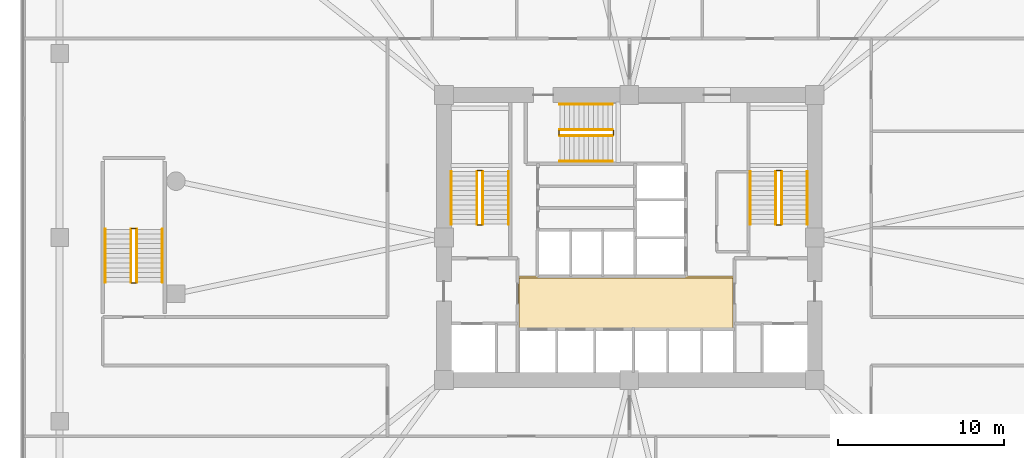
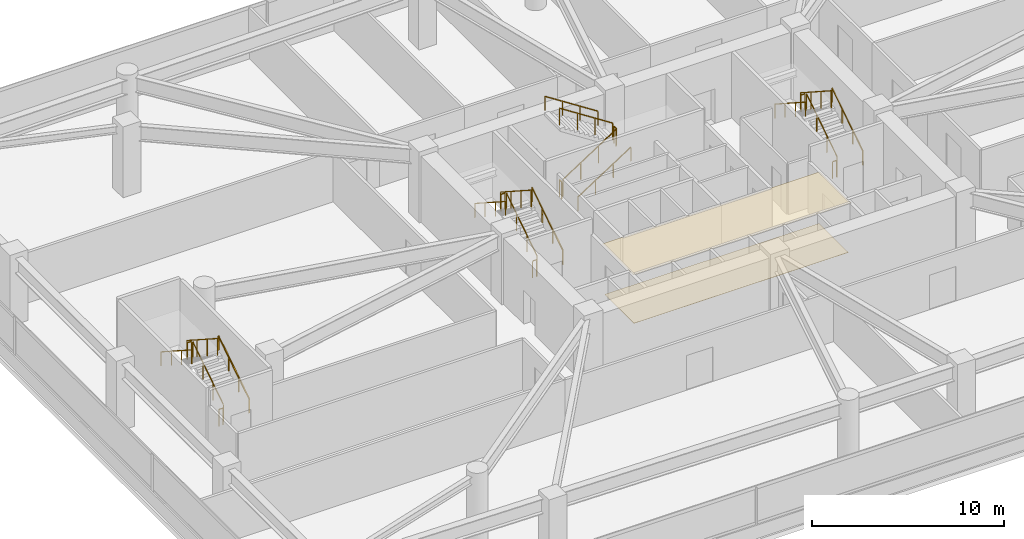
# One storey, part 20 of 21: 24 railings, 2 coverings.
"""IFC4 building model written with IfcOpenShell, lengths in metres."""

from ifc_helpers import new_model, si_unit, derived_unit, direction, frame, origin, origin_2d, place, context, subcontext, project, spatial, polyline, rectangle, outline, extrude, material, layer, layer_set, type_object, element, save


model = new_model("IFC4")

# Units and contexts
model_context = context("Model", 3, precision=1e-05, world=origin(), true_north=direction((0.0, 1.0)))
body_context = subcontext(model_context, "Body", "Model", "MODEL_VIEW")
ifc_project = project(units=[si_unit("LENGTHUNIT", "METRE"), si_unit("AREAUNIT", "SQUARE_METRE"), si_unit("VOLUMEUNIT", "CUBIC_METRE"), si_unit("PLANEANGLEUNIT", "RADIAN"), si_unit("MASSUNIT", "GRAM", prefix="KILO"), derived_unit("THERMALTRANSMITTANCEUNIT", [(si_unit("POWERUNIT", "WATT"), 1), (si_unit("LENGTHUNIT", "METRE"), -2), (si_unit("THERMODYNAMICTEMPERATUREUNIT", "KELVIN"), -1)])], contexts=[model_context])

# Site, building, storey
site_placement = place(None, origin())
site = spatial("IfcSite", under=ifc_project, at=site_placement, CompositionType="ELEMENT")
building_placement = place(site_placement, origin())
building = spatial("IfcBuilding", under=site, at=building_placement, Name="Koralith Skygarden Medical Center", CompositionType="ELEMENT")
storey_placement = place(building_placement, frame((0.0, 0.0, 14.39990234375)))
storey = spatial("IfcBuildingStorey", under=building, at=storey_placement, Name="L03", CompositionType="ELEMENT", Elevation=14.39990234375)

# Coverings
ifc_material_1 = material(Name="Acoustic Mineral Tile")
ifc_layer_1 = layer(ifc_material_1, 0.02001953125)
ifc_layer_set_1 = layer_set([ifc_layer_1], Name="Acoustic Mineral Tile")
covering_type_1 = type_object("IfcCoveringType", Name="Acoustic Hygienic Mineral Ceiling 20", PredefinedType="CEILING", material=ifc_layer_set_1)
covering_1_placement = place(storey_placement, frame((0.0, 0.0, 3.18505859375)))
element("IfcCovering", 1, at=covering_1_placement, inside=storey, type_object=covering_type_1, Name="L03 Core Lobby Acoustic Ceiling", PredefinedType="CEILING", context=body_context, shape_type="SweptSolid", body=[
    extrude(outline(polyline([(30.25, 20.320068359375), (43.35009765625, 20.320068359375), (43.35009765625, 23.56005859375), (30.25, 23.56005859375), (30.25, 20.320068359375)])), origin(), (0.0, 0.0, 1.0), 0.02001953125),
])
ifc_material_2 = material(Name="Medical Terrazzo Flooring")
ifc_layer_2 = layer(ifc_material_2, 0.014892578125)
ifc_layer_set_2 = layer_set([ifc_layer_2], Name="Medical Terrazzo Flooring")
covering_type_2 = type_object("IfcCoveringType", Name="Seamless Antimicrobial Terrazzo Flooring 15", PredefinedType="FLOORING", material=ifc_layer_set_2)
covering_2_placement = place(storey_placement, origin())
element("IfcCovering", 2, at=covering_2_placement, inside=storey, type_object=covering_type_2, Name="L03 Core Lobby Terrazzo Flooring", PredefinedType="FLOORING", context=body_context, shape_type="SweptSolid", body=[
    extrude(outline(polyline([(30.35009765625, 20.419921875), (43.25, 20.419921875), (43.25, 23.4599609375), (30.35009765625, 23.4599609375), (30.35009765625, 20.419921875)])), origin(), (0.0, 0.0, 1.0), 0.01513671875),
])

# Railings
ifc_material_3 = material(Name="Steel ASTM A500 Grade C", Category="steel")
railing_type_1 = type_object("IfcRailingType", Name="Stair Flight Tubular Handrail 920", PredefinedType="HANDRAIL", material=ifc_material_3)
railing_1_placement = place(storey_placement, frame((29.699951171875, 26.699951171875, 0.1875)))
element("IfcRailing", 3, at=railing_1_placement, inside=storey, type_object=railing_type_1, Name="L03 ST1 stair handrail 1", PredefinedType="HANDRAIL", context=body_context, shape_type="SweptSolid", body=[
    extrude(rectangle(XDim=0.050048828125, YDim=0.050048828125, at=origin_2d()), frame((0.0, 0.001708984375, 0.89599609375), z_axis=(0.0, 0.839759782654, 0.542958108362), x_axis=(-1.0, 0.0, 0.0)), (0.0, 0.0, 1.0), 3.794677734375),
    extrude(rectangle(XDim=0.0419921875, YDim=0.0419921875, at=origin_2d()), origin(), (0.0, 0.0, 1.0), 0.867919921875),
    extrude(rectangle(XDim=0.0419921875, YDim=0.0419921875, at=origin_2d()), frame((0.0, 1.063232421875, 0.6875)), (0.0, 0.0, 1.0), 0.867919921875),
    extrude(rectangle(XDim=0.0419921875, YDim=0.0419921875, at=origin_2d()), frame((0.0, 2.126708984375, 1.375)), (0.0, 0.0, 1.0), 0.867919921875),
    extrude(rectangle(XDim=0.0419921875, YDim=0.0419921875, at=origin_2d()), frame((0.0, 3.18994140625, 2.0625)), (0.0, 0.0, 1.0), 0.867919921875),
])
railing_2_placement = place(storey_placement, frame((26.25, 29.889892578125, 2.4375)))
element("IfcRailing", 4, at=railing_2_placement, inside=storey, type_object=railing_type_1, Name="L03 ST1 stair handrail 2", PredefinedType="HANDRAIL", context=body_context, shape_type="SweptSolid", body=[
    extrude(rectangle(XDim=0.050048828125, YDim=0.050048828125, at=origin_2d()), frame((0.0, -0.001708984375, 0.89599609375), z_axis=(0.0, -0.839759782654, 0.542958108362), x_axis=(1.0, 0.0, 0.0)), (0.0, 0.0, 1.0), 3.794677734375),
    extrude(rectangle(XDim=0.0419921875, YDim=0.0419921875, at=origin_2d()), origin(), (0.0, 0.0, 1.0), 0.867919921875),
    extrude(rectangle(XDim=0.0419921875, YDim=0.0419921875, at=origin_2d()), frame((0.0, -1.063232421875, 0.6875)), (0.0, 0.0, 1.0), 0.867919921875),
    extrude(rectangle(XDim=0.0419921875, YDim=0.0419921875, at=origin_2d()), frame((0.0, -2.126708984375, 1.375)), (0.0, 0.0, 1.0), 0.867919921875),
    extrude(rectangle(XDim=0.0419921875, YDim=0.0419921875, at=origin_2d()), frame((0.0, -3.18994140625, 2.0625)), (0.0, 0.0, 1.0), 0.867919921875),
])
railing_3_placement = place(storey_placement, frame((47.75, 26.699951171875, 0.1875)))
element("IfcRailing", 5, at=railing_3_placement, inside=storey, type_object=railing_type_1, Name="L03 ST2 stair handrail 1", PredefinedType="HANDRAIL", context=body_context, shape_type="SweptSolid", body=[
    extrude(rectangle(XDim=0.050048828125, YDim=0.050048828125, at=origin_2d()), frame((0.0, 0.001708984375, 0.89599609375), z_axis=(0.0, 0.839759782654, 0.542958108362), x_axis=(-1.0, 0.0, 0.0)), (0.0, 0.0, 1.0), 3.794677734375),
    extrude(rectangle(XDim=0.0419921875, YDim=0.0419921875, at=origin_2d()), origin(), (0.0, 0.0, 1.0), 0.867919921875),
    extrude(rectangle(XDim=0.0419921875, YDim=0.0419921875, at=origin_2d()), frame((0.0, 1.063232421875, 0.6875)), (0.0, 0.0, 1.0), 0.867919921875),
    extrude(rectangle(XDim=0.0419921875, YDim=0.0419921875, at=origin_2d()), frame((0.0, 2.126708984375, 1.375)), (0.0, 0.0, 1.0), 0.867919921875),
    extrude(rectangle(XDim=0.0419921875, YDim=0.0419921875, at=origin_2d()), frame((0.0, 3.18994140625, 2.0625)), (0.0, 0.0, 1.0), 0.867919921875),
])
railing_4_placement = place(storey_placement, frame((44.300048828125, 29.889892578125, 2.4375)))
element("IfcRailing", 6, at=railing_4_placement, inside=storey, type_object=railing_type_1, Name="L03 ST2 stair handrail 2", PredefinedType="HANDRAIL", context=body_context, shape_type="SweptSolid", body=[
    extrude(rectangle(XDim=0.050048828125, YDim=0.050048828125, at=origin_2d()), frame((0.0, -0.001708984375, 0.89599609375), z_axis=(0.0, -0.839759782654, 0.542958108362), x_axis=(1.0, 0.0, 0.0)), (0.0, 0.0, 1.0), 3.794677734375),
    extrude(rectangle(XDim=0.0419921875, YDim=0.0419921875, at=origin_2d()), origin(), (0.0, 0.0, 1.0), 0.867919921875),
    extrude(rectangle(XDim=0.0419921875, YDim=0.0419921875, at=origin_2d()), frame((0.0, -1.063232421875, 0.6875)), (0.0, 0.0, 1.0), 0.867919921875),
    extrude(rectangle(XDim=0.0419921875, YDim=0.0419921875, at=origin_2d()), frame((0.0, -2.126708984375, 1.375)), (0.0, 0.0, 1.0), 0.867919921875),
    extrude(rectangle(XDim=0.0419921875, YDim=0.0419921875, at=origin_2d()), frame((0.0, -3.18994140625, 2.0625)), (0.0, 0.0, 1.0), 0.867919921875),
])
railing_5_placement = place(storey_placement, frame((32.800048828125, 30.5, 0.1875)))
element("IfcRailing", 7, at=railing_5_placement, inside=storey, type_object=railing_type_1, Name="L03 ST3 stair handrail 1", PredefinedType="HANDRAIL", context=body_context, shape_type="SweptSolid", body=[
    extrude(rectangle(XDim=0.050048828125, YDim=0.050048828125, at=origin_2d()), frame((0.001708984375, 0.0, 0.89599609375), z_axis=(0.839759782654, 0.0, 0.542958108362), x_axis=(0.0, 1.0, 0.0)), (0.0, 0.0, 1.0), 3.794677734375),
    extrude(rectangle(XDim=0.0419921875, YDim=0.0419921875, at=origin_2d()), origin(), (0.0, 0.0, 1.0), 0.867919921875),
    extrude(rectangle(XDim=0.0419921875, YDim=0.0419921875, at=origin_2d()), frame((1.063232421875, 0.0, 0.6875)), (0.0, 0.0, 1.0), 0.867919921875),
    extrude(rectangle(XDim=0.0419921875, YDim=0.0419921875, at=origin_2d()), frame((2.126708984375, 0.0, 1.375)), (0.0, 0.0, 1.0), 0.867919921875),
    extrude(rectangle(XDim=0.0419921875, YDim=0.0419921875, at=origin_2d()), frame((3.18994140625, 0.0, 2.0625)), (0.0, 0.0, 1.0), 0.867919921875),
])
railing_6_placement = place(storey_placement, frame((35.989990234375, 33.949951171875, 2.4375)))
element("IfcRailing", 8, at=railing_6_placement, inside=storey, type_object=railing_type_1, Name="L03 ST3 stair handrail 2", PredefinedType="HANDRAIL", context=body_context, shape_type="SweptSolid", body=[
    extrude(rectangle(XDim=0.050048828125, YDim=0.050048828125, at=origin_2d()), frame((-0.001708984375, 0.0, 0.89599609375), z_axis=(-0.839759782654, 0.0, 0.542958108362), x_axis=(0.0, -1.0, 0.0)), (0.0, 0.0, 1.0), 3.794677734375),
    extrude(rectangle(XDim=0.0419921875, YDim=0.0419921875, at=origin_2d()), origin(), (0.0, 0.0, 1.0), 0.867919921875),
    extrude(rectangle(XDim=0.0419921875, YDim=0.0419921875, at=origin_2d()), frame((-1.063232421875, 0.0, 0.6875)), (0.0, 0.0, 1.0), 0.867919921875),
    extrude(rectangle(XDim=0.0419921875, YDim=0.0419921875, at=origin_2d()), frame((-2.126708984375, 0.0, 1.375)), (0.0, 0.0, 1.0), 0.867919921875),
    extrude(rectangle(XDim=0.0419921875, YDim=0.0419921875, at=origin_2d()), frame((-3.18994140625, 0.0, 2.0625)), (0.0, 0.0, 1.0), 0.867919921875),
])
railing_7_placement = place(storey_placement, frame((8.800048828125, 23.199951171875, 0.1875)))
element("IfcRailing", 9, at=railing_7_placement, inside=storey, type_object=railing_type_1, Name="L03 ST4 stair handrail 1", PredefinedType="HANDRAIL", context=body_context, shape_type="SweptSolid", body=[
    extrude(rectangle(XDim=0.050048828125, YDim=0.050048828125, at=origin_2d()), frame((0.0, 0.001708984375, 0.89599609375), z_axis=(0.0, 0.839759782654, 0.542958108362), x_axis=(-1.0, 0.0, 0.0)), (0.0, 0.0, 1.0), 3.794677734375),
    extrude(rectangle(XDim=0.0419921875, YDim=0.0419921875, at=origin_2d()), origin(), (0.0, 0.0, 1.0), 0.867919921875),
    extrude(rectangle(XDim=0.0419921875, YDim=0.0419921875, at=origin_2d()), frame((0.0, 1.063232421875, 0.6875)), (0.0, 0.0, 1.0), 0.867919921875),
    extrude(rectangle(XDim=0.0419921875, YDim=0.0419921875, at=origin_2d()), frame((0.0, 2.126708984375, 1.375)), (0.0, 0.0, 1.0), 0.867919921875),
    extrude(rectangle(XDim=0.0419921875, YDim=0.0419921875, at=origin_2d()), frame((0.0, 3.18994140625, 2.0625)), (0.0, 0.0, 1.0), 0.867919921875),
])
railing_8_placement = place(storey_placement, frame((5.35009765625, 26.389892578125, 2.4375)))
element("IfcRailing", 10, at=railing_8_placement, inside=storey, type_object=railing_type_1, Name="L03 ST4 stair handrail 2", PredefinedType="HANDRAIL", context=body_context, shape_type="SweptSolid", body=[
    extrude(rectangle(XDim=0.050048828125, YDim=0.050048828125, at=origin_2d()), frame((0.0, -0.001708984375, 0.89599609375), z_axis=(0.0, -0.839759782654, 0.542958108362), x_axis=(1.0, 0.0, 0.0)), (0.0, 0.0, 1.0), 3.794677734375),
    extrude(rectangle(XDim=0.0419921875, YDim=0.0419921875, at=origin_2d()), origin(), (0.0, 0.0, 1.0), 0.867919921875),
    extrude(rectangle(XDim=0.0419921875, YDim=0.0419921875, at=origin_2d()), frame((0.0, -1.063232421875, 0.6875)), (0.0, 0.0, 1.0), 0.867919921875),
    extrude(rectangle(XDim=0.0419921875, YDim=0.0419921875, at=origin_2d()), frame((0.0, -2.126708984375, 1.375)), (0.0, 0.0, 1.0), 0.867919921875),
    extrude(rectangle(XDim=0.0419921875, YDim=0.0419921875, at=origin_2d()), frame((0.0, -3.18994140625, 2.0625)), (0.0, 0.0, 1.0), 0.867919921875),
])
railing_type_2 = type_object("IfcRailingType", Name="Stair Well Safety Guardrail 1100", PredefinedType="GUARDRAIL", material=ifc_material_3)
railing_9_placement = place(storey_placement, frame((28.14990234375, 26.699951171875, 0.1875)))
element("IfcRailing", 11, at=railing_9_placement, inside=storey, type_object=railing_type_2, Name="L03 ST1 stair guard 1", PredefinedType="GUARDRAIL", context=body_context, shape_type="SweptSolid", body=[
    extrude(rectangle(XDim=0.050048828125, YDim=0.050048828125, at=origin_2d()), frame((0.0, 0.001708984375, 1.076171875), z_axis=(0.0, 0.839759782654, 0.542958108362), x_axis=(-1.0, 0.0, 0.0)), (0.0, 0.0, 1.0), 3.794677734375),
    extrude(rectangle(XDim=0.0419921875, YDim=0.0419921875, at=origin_2d()), origin(), (0.0, 0.0, 1.0), 1.048095703125),
    extrude(rectangle(XDim=0.0419921875, YDim=0.0419921875, at=origin_2d()), frame((0.0, 1.063232421875, 0.6875)), (0.0, 0.0, 1.0), 1.048095703125),
    extrude(rectangle(XDim=0.0419921875, YDim=0.0419921875, at=origin_2d()), frame((0.0, 2.126708984375, 1.375)), (0.0, 0.0, 1.0), 1.048095703125),
    extrude(rectangle(XDim=0.0419921875, YDim=0.0419921875, at=origin_2d()), frame((0.0, 3.18994140625, 2.0625)), (0.0, 0.0, 1.0), 1.048095703125),
])
railing_10_placement = place(storey_placement, frame((28.10009765625, 29.93994140625, 2.25)))
element("IfcRailing", 12, at=railing_10_placement, inside=storey, type_object=railing_type_2, Name="L03 ST1 stair guard 2", PredefinedType="GUARDRAIL", context=body_context, shape_type="SweptSolid", body=[
    extrude(rectangle(XDim=0.050048828125, YDim=0.050048828125, at=origin_2d()), frame((-0.001953125, 0.0, 1.0751953125), z_axis=(-1.0, 0.0, 0.0), x_axis=(0.0, -1.0, 0.0)), (0.0, 0.0, 1.0), 0.24609375),
    extrude(rectangle(XDim=0.0419921875, YDim=0.0419921875, at=origin_2d()), origin(), (0.0, 0.0, 1.0), 1.048095703125),
    extrude(rectangle(XDim=0.0419921875, YDim=0.0419921875, at=origin_2d()), frame((-0.25, 0.0, 0.0)), (0.0, 0.0, 1.0), 1.048095703125),
])
railing_11_placement = place(storey_placement, frame((27.800048828125, 29.889892578125, 2.4375)))
element("IfcRailing", 13, at=railing_11_placement, inside=storey, type_object=railing_type_2, Name="L03 ST1 stair guard 3", PredefinedType="GUARDRAIL", context=body_context, shape_type="SweptSolid", body=[
    extrude(rectangle(XDim=0.050048828125, YDim=0.050048828125, at=origin_2d()), frame((0.0, -0.001708984375, 1.076171875), z_axis=(0.0, -0.839759782654, 0.542958108362), x_axis=(1.0, 0.0, 0.0)), (0.0, 0.0, 1.0), 3.794677734375),
    extrude(rectangle(XDim=0.0419921875, YDim=0.0419921875, at=origin_2d()), origin(), (0.0, 0.0, 1.0), 1.048095703125),
    extrude(rectangle(XDim=0.0419921875, YDim=0.0419921875, at=origin_2d()), frame((0.0, -1.063232421875, 0.6875)), (0.0, 0.0, 1.0), 1.048095703125),
    extrude(rectangle(XDim=0.0419921875, YDim=0.0419921875, at=origin_2d()), frame((0.0, -2.126708984375, 1.375)), (0.0, 0.0, 1.0), 1.048095703125),
    extrude(rectangle(XDim=0.0419921875, YDim=0.0419921875, at=origin_2d()), frame((0.0, -3.18994140625, 2.0625)), (0.0, 0.0, 1.0), 1.048095703125),
])
railing_12_placement = place(storey_placement, frame((28.10009765625, 26.64990234375, 0.0)))
element("IfcRailing", 14, at=railing_12_placement, inside=storey, type_object=railing_type_2, Name="L03 ST1 stair guard 4", PredefinedType="GUARDRAIL", context=body_context, shape_type="SweptSolid", body=[
    extrude(rectangle(XDim=0.050048828125, YDim=0.050048828125, at=origin_2d()), frame((-0.001953125, 0.0, 1.0751953125), z_axis=(-1.0, 0.0, 0.0), x_axis=(0.0, -1.0, 0.0)), (0.0, 0.0, 1.0), 0.24609375),
    extrude(rectangle(XDim=0.0419921875, YDim=0.0419921875, at=origin_2d()), origin(), (0.0, 0.0, 1.0), 1.048095703125),
    extrude(rectangle(XDim=0.0419921875, YDim=0.0419921875, at=origin_2d()), frame((-0.25, 0.0, 0.0)), (0.0, 0.0, 1.0), 1.048095703125),
])
railing_13_placement = place(storey_placement, frame((46.199951171875, 26.699951171875, 0.1875)))
element("IfcRailing", 15, at=railing_13_placement, inside=storey, type_object=railing_type_2, Name="L03 ST2 stair guard 1", PredefinedType="GUARDRAIL", context=body_context, shape_type="SweptSolid", body=[
    extrude(rectangle(XDim=0.050048828125, YDim=0.050048828125, at=origin_2d()), frame((0.0, 0.001708984375, 1.076171875), z_axis=(0.0, 0.839759782654, 0.542958108362), x_axis=(-1.0, 0.0, 0.0)), (0.0, 0.0, 1.0), 3.794677734375),
    extrude(rectangle(XDim=0.0419921875, YDim=0.0419921875, at=origin_2d()), origin(), (0.0, 0.0, 1.0), 1.048095703125),
    extrude(rectangle(XDim=0.0419921875, YDim=0.0419921875, at=origin_2d()), frame((0.0, 1.063232421875, 0.6875)), (0.0, 0.0, 1.0), 1.048095703125),
    extrude(rectangle(XDim=0.0419921875, YDim=0.0419921875, at=origin_2d()), frame((0.0, 2.126708984375, 1.375)), (0.0, 0.0, 1.0), 1.048095703125),
    extrude(rectangle(XDim=0.0419921875, YDim=0.0419921875, at=origin_2d()), frame((0.0, 3.18994140625, 2.0625)), (0.0, 0.0, 1.0), 1.048095703125),
])
railing_14_placement = place(storey_placement, frame((46.14990234375, 29.93994140625, 2.25)))
element("IfcRailing", 16, at=railing_14_placement, inside=storey, type_object=railing_type_2, Name="L03 ST2 stair guard 2", PredefinedType="GUARDRAIL", context=body_context, shape_type="SweptSolid", body=[
    extrude(rectangle(XDim=0.050048828125, YDim=0.050048828125, at=origin_2d()), frame((-0.001953125, 0.0, 1.0751953125), z_axis=(-1.0, 0.0, 0.0), x_axis=(0.0, -1.0, 0.0)), (0.0, 0.0, 1.0), 0.24609375),
    extrude(rectangle(XDim=0.0419921875, YDim=0.0419921875, at=origin_2d()), origin(), (0.0, 0.0, 1.0), 1.048095703125),
    extrude(rectangle(XDim=0.0419921875, YDim=0.0419921875, at=origin_2d()), frame((-0.25, 0.0, 0.0)), (0.0, 0.0, 1.0), 1.048095703125),
])
railing_15_placement = place(storey_placement, frame((45.85009765625, 29.889892578125, 2.4375)))
element("IfcRailing", 17, at=railing_15_placement, inside=storey, type_object=railing_type_2, Name="L03 ST2 stair guard 3", PredefinedType="GUARDRAIL", context=body_context, shape_type="SweptSolid", body=[
    extrude(rectangle(XDim=0.050048828125, YDim=0.050048828125, at=origin_2d()), frame((0.0, -0.001708984375, 1.076171875), z_axis=(0.0, -0.839759782654, 0.542958108362), x_axis=(1.0, 0.0, 0.0)), (0.0, 0.0, 1.0), 3.794677734375),
    extrude(rectangle(XDim=0.0419921875, YDim=0.0419921875, at=origin_2d()), origin(), (0.0, 0.0, 1.0), 1.048095703125),
    extrude(rectangle(XDim=0.0419921875, YDim=0.0419921875, at=origin_2d()), frame((0.0, -1.063232421875, 0.6875)), (0.0, 0.0, 1.0), 1.048095703125),
    extrude(rectangle(XDim=0.0419921875, YDim=0.0419921875, at=origin_2d()), frame((0.0, -2.126708984375, 1.375)), (0.0, 0.0, 1.0), 1.048095703125),
    extrude(rectangle(XDim=0.0419921875, YDim=0.0419921875, at=origin_2d()), frame((0.0, -3.18994140625, 2.0625)), (0.0, 0.0, 1.0), 1.048095703125),
])
railing_16_placement = place(storey_placement, frame((46.14990234375, 26.64990234375, 0.0)))
element("IfcRailing", 18, at=railing_16_placement, inside=storey, type_object=railing_type_2, Name="L03 ST2 stair guard 4", PredefinedType="GUARDRAIL", context=body_context, shape_type="SweptSolid", body=[
    extrude(rectangle(XDim=0.050048828125, YDim=0.050048828125, at=origin_2d()), frame((-0.001953125, 0.0, 1.0751953125), z_axis=(-1.0, 0.0, 0.0), x_axis=(0.0, -1.0, 0.0)), (0.0, 0.0, 1.0), 0.24609375),
    extrude(rectangle(XDim=0.0419921875, YDim=0.0419921875, at=origin_2d()), origin(), (0.0, 0.0, 1.0), 1.048095703125),
    extrude(rectangle(XDim=0.0419921875, YDim=0.0419921875, at=origin_2d()), frame((-0.25, 0.0, 0.0)), (0.0, 0.0, 1.0), 1.048095703125),
])
railing_17_placement = place(storey_placement, frame((32.800048828125, 32.050048828125, 0.1875)))
element("IfcRailing", 19, at=railing_17_placement, inside=storey, type_object=railing_type_2, Name="L03 ST3 stair guard 1", PredefinedType="GUARDRAIL", context=body_context, shape_type="SweptSolid", body=[
    extrude(rectangle(XDim=0.050048828125, YDim=0.050048828125, at=origin_2d()), frame((0.001708984375, 0.0, 1.076171875), z_axis=(0.839759782654, 0.0, 0.542958108362), x_axis=(0.0, 1.0, 0.0)), (0.0, 0.0, 1.0), 3.794677734375),
    extrude(rectangle(XDim=0.0419921875, YDim=0.0419921875, at=origin_2d()), origin(), (0.0, 0.0, 1.0), 1.048095703125),
    extrude(rectangle(XDim=0.0419921875, YDim=0.0419921875, at=origin_2d()), frame((1.063232421875, 0.0, 0.6875)), (0.0, 0.0, 1.0), 1.048095703125),
    extrude(rectangle(XDim=0.0419921875, YDim=0.0419921875, at=origin_2d()), frame((2.126708984375, 0.0, 1.375)), (0.0, 0.0, 1.0), 1.048095703125),
    extrude(rectangle(XDim=0.0419921875, YDim=0.0419921875, at=origin_2d()), frame((3.18994140625, 0.0, 2.0625)), (0.0, 0.0, 1.0), 1.048095703125),
])
railing_18_placement = place(storey_placement, frame((36.0400390625, 32.10009765625, 2.25)))
element("IfcRailing", 20, at=railing_18_placement, inside=storey, type_object=railing_type_2, Name="L03 ST3 stair guard 2", PredefinedType="GUARDRAIL", context=body_context, shape_type="SweptSolid", body=[
    extrude(rectangle(XDim=0.050048828125, YDim=0.050048828125, at=origin_2d()), frame((0.0, 0.001953125, 1.0751953125), z_axis=(0.0, 1.0, 0.0), x_axis=(-1.0, 0.0, 0.0)), (0.0, 0.0, 1.0), 0.24609375),
    extrude(rectangle(XDim=0.0419921875, YDim=0.0419921875, at=origin_2d()), origin(), (0.0, 0.0, 1.0), 1.048095703125),
    extrude(rectangle(XDim=0.0419921875, YDim=0.0419921875, at=origin_2d()), frame((0.0, 0.25, 0.0)), (0.0, 0.0, 1.0), 1.048095703125),
])
railing_19_placement = place(storey_placement, frame((35.989990234375, 32.39990234375, 2.4375)))
element("IfcRailing", 21, at=railing_19_placement, inside=storey, type_object=railing_type_2, Name="L03 ST3 stair guard 3", PredefinedType="GUARDRAIL", context=body_context, shape_type="SweptSolid", body=[
    extrude(rectangle(XDim=0.050048828125, YDim=0.050048828125, at=origin_2d()), frame((-0.001708984375, 0.0, 1.076171875), z_axis=(-0.839759782654, 0.0, 0.542958108362), x_axis=(0.0, -1.0, 0.0)), (0.0, 0.0, 1.0), 3.794677734375),
    extrude(rectangle(XDim=0.0419921875, YDim=0.0419921875, at=origin_2d()), origin(), (0.0, 0.0, 1.0), 1.048095703125),
    extrude(rectangle(XDim=0.0419921875, YDim=0.0419921875, at=origin_2d()), frame((-1.063232421875, 0.0, 0.6875)), (0.0, 0.0, 1.0), 1.048095703125),
    extrude(rectangle(XDim=0.0419921875, YDim=0.0419921875, at=origin_2d()), frame((-2.126708984375, 0.0, 1.375)), (0.0, 0.0, 1.0), 1.048095703125),
    extrude(rectangle(XDim=0.0419921875, YDim=0.0419921875, at=origin_2d()), frame((-3.18994140625, 0.0, 2.0625)), (0.0, 0.0, 1.0), 1.048095703125),
])
railing_20_placement = place(storey_placement, frame((32.75, 32.10009765625, 0.0)))
element("IfcRailing", 22, at=railing_20_placement, inside=storey, type_object=railing_type_2, Name="L03 ST3 stair guard 4", PredefinedType="GUARDRAIL", context=body_context, shape_type="SweptSolid", body=[
    extrude(rectangle(XDim=0.050048828125, YDim=0.050048828125, at=origin_2d()), frame((0.0, 0.001953125, 1.0751953125), z_axis=(0.0, 1.0, 0.0), x_axis=(-1.0, 0.0, 0.0)), (0.0, 0.0, 1.0), 0.24609375),
    extrude(rectangle(XDim=0.0419921875, YDim=0.0419921875, at=origin_2d()), origin(), (0.0, 0.0, 1.0), 1.048095703125),
    extrude(rectangle(XDim=0.0419921875, YDim=0.0419921875, at=origin_2d()), frame((0.0, 0.25, 0.0)), (0.0, 0.0, 1.0), 1.048095703125),
])
railing_21_placement = place(storey_placement, frame((7.25, 23.199951171875, 0.1875)))
element("IfcRailing", 23, at=railing_21_placement, inside=storey, type_object=railing_type_2, Name="L03 ST4 stair guard 1", PredefinedType="GUARDRAIL", context=body_context, shape_type="SweptSolid", body=[
    extrude(rectangle(XDim=0.050048828125, YDim=0.050048828125, at=origin_2d()), frame((0.0, 0.001708984375, 1.076171875), z_axis=(0.0, 0.839759782654, 0.542958108362), x_axis=(-1.0, 0.0, 0.0)), (0.0, 0.0, 1.0), 3.794677734375),
    extrude(rectangle(XDim=0.0419921875, YDim=0.0419921875, at=origin_2d()), origin(), (0.0, 0.0, 1.0), 1.048095703125),
    extrude(rectangle(XDim=0.0419921875, YDim=0.0419921875, at=origin_2d()), frame((0.0, 1.063232421875, 0.6875)), (0.0, 0.0, 1.0), 1.048095703125),
    extrude(rectangle(XDim=0.0419921875, YDim=0.0419921875, at=origin_2d()), frame((0.0, 2.126708984375, 1.375)), (0.0, 0.0, 1.0), 1.048095703125),
    extrude(rectangle(XDim=0.0419921875, YDim=0.0419921875, at=origin_2d()), frame((0.0, 3.18994140625, 2.0625)), (0.0, 0.0, 1.0), 1.048095703125),
])
railing_22_placement = place(storey_placement, frame((7.199951171875, 26.43994140625, 2.25)))
element("IfcRailing", 24, at=railing_22_placement, inside=storey, type_object=railing_type_2, Name="L03 ST4 stair guard 2", PredefinedType="GUARDRAIL", context=body_context, shape_type="SweptSolid", body=[
    extrude(rectangle(XDim=0.050048828125, YDim=0.050048828125, at=origin_2d()), frame((-0.001953125, 0.0, 1.0751953125), z_axis=(-1.0, 0.0, 0.0), x_axis=(0.0, -1.0, 0.0)), (0.0, 0.0, 1.0), 0.24609375),
    extrude(rectangle(XDim=0.0419921875, YDim=0.0419921875, at=origin_2d()), origin(), (0.0, 0.0, 1.0), 1.048095703125),
    extrude(rectangle(XDim=0.0419921875, YDim=0.0419921875, at=origin_2d()), frame((-0.25, 0.0, 0.0)), (0.0, 0.0, 1.0), 1.048095703125),
])
railing_23_placement = place(storey_placement, frame((6.89990234375, 26.389892578125, 2.4375)))
element("IfcRailing", 25, at=railing_23_placement, inside=storey, type_object=railing_type_2, Name="L03 ST4 stair guard 3", PredefinedType="GUARDRAIL", context=body_context, shape_type="SweptSolid", body=[
    extrude(rectangle(XDim=0.050048828125, YDim=0.050048828125, at=origin_2d()), frame((0.0, -0.001708984375, 1.076171875), z_axis=(0.0, -0.839759782654, 0.542958108362), x_axis=(1.0, 0.0, 0.0)), (0.0, 0.0, 1.0), 3.794677734375),
    extrude(rectangle(XDim=0.0419921875, YDim=0.0419921875, at=origin_2d()), origin(), (0.0, 0.0, 1.0), 1.048095703125),
    extrude(rectangle(XDim=0.0419921875, YDim=0.0419921875, at=origin_2d()), frame((0.0, -1.063232421875, 0.6875)), (0.0, 0.0, 1.0), 1.048095703125),
    extrude(rectangle(XDim=0.0419921875, YDim=0.0419921875, at=origin_2d()), frame((0.0, -2.126708984375, 1.375)), (0.0, 0.0, 1.0), 1.048095703125),
    extrude(rectangle(XDim=0.0419921875, YDim=0.0419921875, at=origin_2d()), frame((0.0, -3.18994140625, 2.0625)), (0.0, 0.0, 1.0), 1.048095703125),
])
railing_24_placement = place(storey_placement, frame((7.199951171875, 23.14990234375, 0.0)))
element("IfcRailing", 26, at=railing_24_placement, inside=storey, type_object=railing_type_2, Name="L03 ST4 stair guard 4", PredefinedType="GUARDRAIL", context=body_context, shape_type="SweptSolid", body=[
    extrude(rectangle(XDim=0.050048828125, YDim=0.050048828125, at=origin_2d()), frame((-0.001953125, 0.0, 1.0751953125), z_axis=(-1.0, 0.0, 0.0), x_axis=(0.0, -1.0, 0.0)), (0.0, 0.0, 1.0), 0.24609375),
    extrude(rectangle(XDim=0.0419921875, YDim=0.0419921875, at=origin_2d()), origin(), (0.0, 0.0, 1.0), 1.048095703125),
    extrude(rectangle(XDim=0.0419921875, YDim=0.0419921875, at=origin_2d()), frame((-0.25, 0.0, 0.0)), (0.0, 0.0, 1.0), 1.048095703125),
])

save(model, "model.ifc")
